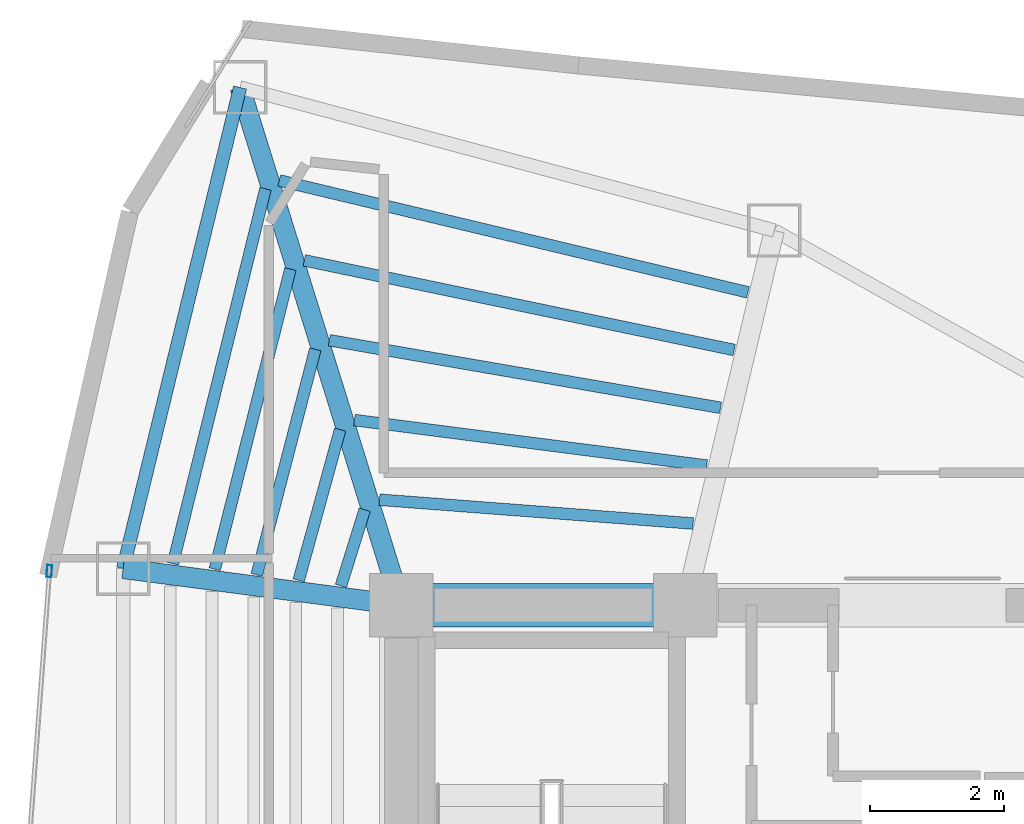
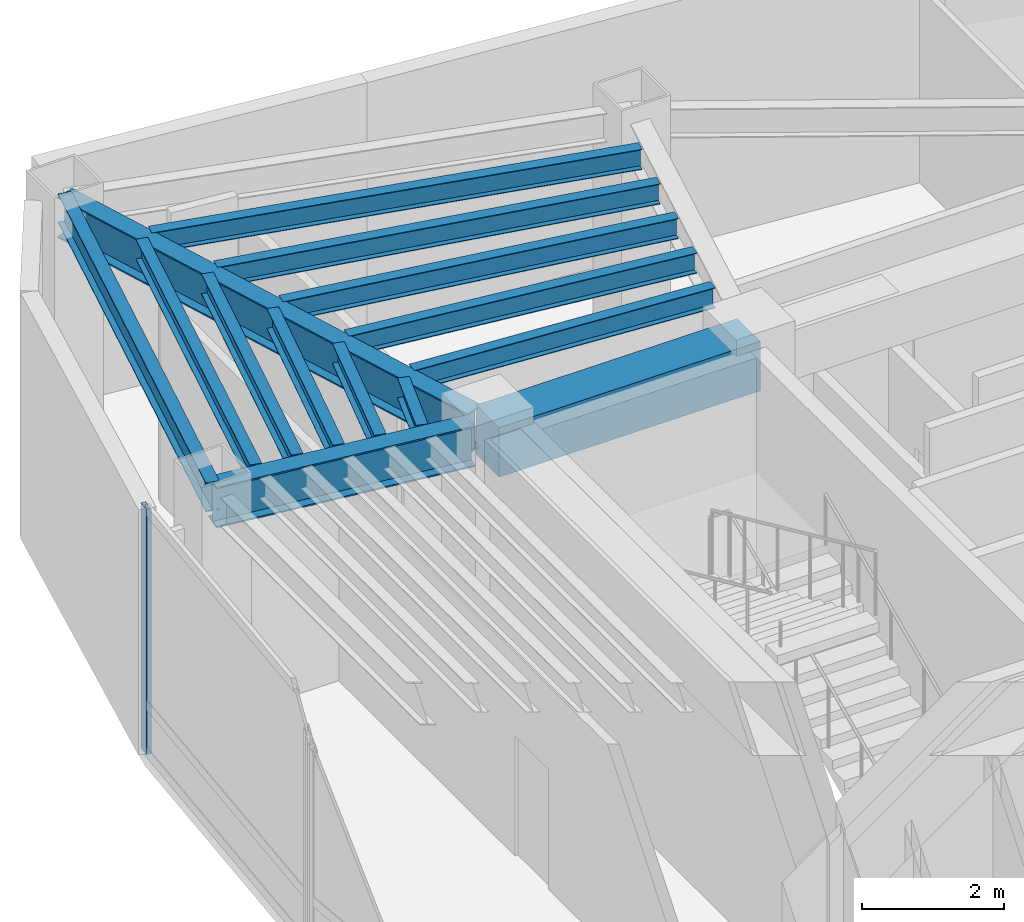
# One storey, part 8 of 17: 14 beams, 1 member, 1 element without a shape of its own.
"""IFC4 building model written with IfcOpenShell, lengths in metres."""

import ifcopenshell
import ifcopenshell.guid

model = None  # the IFC model being written
_history = None  # IfcOwnerHistory: only IFC2X3 demands one
_inside = {}  # id of a spatial element -> (the spatial element, [elements in it])
_under = {}  # id of a project, library or spatial element -> (it, [spatial elements below it])
_declared = {}  # id of a project -> (the project, [libraries it declares])
_typed = {}  # id of a type object -> (the type object, [elements of that type])
_made_of = {}  # id of a material, layer set ... -> (it, [elements and type objects made of it])


def new_model(schema):
    """Start an empty IFC model of exactly this schema.

    Asked for "IFC4X3", IfcOpenShell would pick the latest addendum, in which some entities
    have other attributes; the version numbers below select the first issue.
    IFC2X3 requires an IfcOwnerHistory on every rooted entity: one is made here for all.
    """
    global model, _history
    if schema == "IFC4X3":
        model = ifcopenshell.file(schema_version=(4, 3, 0, 0))
    else:
        model = ifcopenshell.file(schema=schema)
    _inside.clear()
    _under.clear()
    _declared.clear()
    _typed.clear()
    _made_of.clear()
    _history = None
    if model.schema == "IFC2X3":
        org = make("IfcOrganization", Name="unknown")
        user = make(
            "IfcPersonAndOrganization",
            ThePerson=make("IfcPerson", FamilyName="unknown"),
            TheOrganization=org,
        )
        app = make(
            "IfcApplication",
            ApplicationDeveloper=org,
            Version="unknown",
            ApplicationFullName="unknown",
            ApplicationIdentifier="unknown",
        )
        _history = make(
            "IfcOwnerHistory",
            OwningUser=user,
            OwningApplication=app,
            ChangeAction="ADDED",
            CreationDate=0,
        )
    return model


def make(cls, **values):
    """One entity of the class cls with the attributes given. An attribute that is None is left unset."""
    return model.create_entity(
        cls, **{name: value for name, value in values.items() if value is not None}
    )


def rooted(cls, **values):
    """An entity with a GlobalId (a new one), such as an element, a storey or a relation."""
    return make(cls, GlobalId=ifcopenshell.guid.new(), OwnerHistory=_history, **values)


def si_unit(unit_type, name, prefix=None):
    """IfcSIUnit, for example si_unit("LENGTHUNIT", "METRE", prefix="MILLI")."""
    return make("IfcSIUnit", UnitType=unit_type, Prefix=prefix, Name=name)


def assignment(units):
    """IfcUnitAssignment: the units of a project."""
    return None if units is None else make("IfcUnitAssignment", Units=units)


def point(xyz):
    """IfcCartesianPoint."""
    return None if xyz is None else make("IfcCartesianPoint", Coordinates=xyz)


def direction(xyz):
    """IfcDirection."""
    return None if xyz is None else make("IfcDirection", DirectionRatios=xyz)


def frame(location, z_axis=None, x_axis=None):
    """IfcAxis2Placement3D, a coordinate frame: its origin and axes. An axis left out is left unset."""
    return make(
        "IfcAxis2Placement3D",
        Location=point(location),
        Axis=direction(z_axis),
        RefDirection=direction(x_axis),
    )


def frame_2d(location, x_axis=None):
    """IfcAxis2Placement2D, a coordinate frame in the plane: its origin and x axis."""
    return make(
        "IfcAxis2Placement2D", Location=point(location), RefDirection=direction(x_axis)
    )


def origin():
    """The frame at (0, 0, 0) with its axes left unset."""
    return frame((0.0, 0.0, 0.0))


def origin_2d():
    """The frame at (0, 0) in the plane with its x axis left unset."""
    return frame_2d((0.0, 0.0))


def place(relative_to, where):
    """IfcLocalPlacement: puts the frame where relative to a parent placement (None: the world)."""
    return make(
        "IfcLocalPlacement", PlacementRelTo=relative_to, RelativePlacement=where
    )


def context(
    kind, dimensions, precision=None, world=None, true_north=None, identifier=None
):
    """IfcGeometricRepresentationContext, for example the 3D "Model" context."""
    return make(
        "IfcGeometricRepresentationContext",
        ContextIdentifier=identifier,
        ContextType=kind,
        CoordinateSpaceDimension=dimensions,
        Precision=precision,
        WorldCoordinateSystem=world,
        TrueNorth=true_north,
    )


def subcontext(parent, identifier, kind, view, scale=None):
    """IfcGeometricRepresentationSubContext, for example "Body" below "Model"."""
    return make(
        "IfcGeometricRepresentationSubContext",
        ContextIdentifier=identifier,
        ContextType=kind,
        ParentContext=parent,
        TargetScale=scale,
        TargetView=view,
    )


def project(units=None, contexts=None):
    """IfcProject with its units and contexts."""
    return rooted(
        "IfcProject",
        Name="project",
        RepresentationContexts=contexts,
        UnitsInContext=assignment(units),
    )


def spatial(cls, under=None, at=None, **own):
    """A site, building, storey or space (cls), placed at a placement, below another one or the project."""
    s = rooted(cls, ObjectPlacement=at, **own)
    if under is not None:
        _under.setdefault(under.id(), (under, []))[1].append(s)
    return s


def profile(cls, at=None, kind="AREA", **sizes):
    """A parametric profile (cls). Its sizes go by their IFC names, for example OverallWidth=200.0."""
    return make(cls, ProfileType=kind, Position=at, **sizes)


def rectangle(**sizes):
    """IfcRectangleProfileDef."""
    return profile("IfcRectangleProfileDef", **sizes)


def hollow_rectangle(**sizes):
    """IfcRectangleHollowProfileDef."""
    return profile("IfcRectangleHollowProfileDef", **sizes)


def i_section(**sizes):
    """IfcIShapeProfileDef."""
    return profile("IfcIShapeProfileDef", **sizes)


def extrude(swept, where, along, depth):
    """IfcExtrudedAreaSolid: the profile swept, set in the frame where, extruded along a direction by depth."""
    return make(
        "IfcExtrudedAreaSolid",
        SweptArea=swept,
        Position=where,
        ExtrudedDirection=direction(along),
        Depth=depth,
    )


def shape(context_of_items, identifier, shape_type, items):
    """IfcShapeRepresentation: the items that make up one representation, for example the "Body"."""
    return make(
        "IfcShapeRepresentation",
        ContextOfItems=context_of_items,
        RepresentationIdentifier=identifier,
        RepresentationType=shape_type,
        Items=items,
    )


def material(Name=None, Category=None):
    """IfcMaterial."""
    return make("IfcMaterial", Name=Name, Category=Category)


def layer(
    of_material, thickness, ventilated=None, Name=None, Category=None, Priority=None
):
    """IfcMaterialLayer: one layer of a wall or slab, of a material (None: an air gap)."""
    return make(
        "IfcMaterialLayer",
        Material=of_material,
        LayerThickness=thickness,
        IsVentilated=ventilated,
        Name=Name,
        Category=Category,
        Priority=Priority,
    )


def layer_set(layers, Name=None):
    """IfcMaterialLayerSet."""
    return make("IfcMaterialLayerSet", MaterialLayers=layers, LayerSetName=Name)


def material_profile(
    of_material, cross_section, Name=None, Category=None, Priority=None
):
    """IfcMaterialProfile: a cross section and its material."""
    return make(
        "IfcMaterialProfile",
        Name=Name,
        Material=of_material,
        Profile=cross_section,
        Priority=Priority,
        Category=Category,
    )


def profile_set(profiles, Name=None, composite=None):
    """IfcMaterialProfileSet."""
    return make(
        "IfcMaterialProfileSet",
        Name=Name,
        MaterialProfiles=profiles,
        CompositeProfile=composite,
    )


def made_of(thing, what):
    """Note that an element or type object is made of a material, layer set ...; save() writes the relation."""
    if what is not None:
        _made_of.setdefault(what.id(), (what, []))[1].append(thing)
    return thing


def type_object(cls, material=None, **own):
    """A type object (cls), such as IfcWallType, which elements share."""
    return made_of(rooted(cls, **own), material)


def element(
    cls,
    number,
    at=None,
    inside=None,
    cuts=None,
    type_object=None,
    material=None,
    context=None,
    identifier="Body",
    shape_type=None,
    held_by="IfcProductDefinitionShape",
    body=None,
    shapes=None,
    **own,
):
    """One element of the class cls, such as IfcWall. Its Tag is "e" and its number.

    at: its placement. inside: the storey or other place that contains it. cuts: it is an
    opening in that element (IfcRelVoidsElement). A single representation is given by context,
    identifier, shape_type and body (its items); several are given by shapes. held_by: the class
    of the entity that holds the representations. save() writes the other relations.
    """
    e = rooted(cls, Tag="e%d" % number, ObjectPlacement=at, **own)
    if body is not None:
        shapes = [shape(context, identifier, shape_type, body)]
    if shapes is not None:
        e.Representation = make(held_by, Representations=shapes)
    if inside is not None:
        _inside.setdefault(inside.id(), (inside, []))[1].append(e)
    if cuts is not None:
        rooted(
            "IfcRelVoidsElement", RelatingBuildingElement=cuts, RelatedOpeningElement=e
        )
    if type_object is not None:
        _typed.setdefault(type_object.id(), (type_object, []))[1].append(e)
    return made_of(e, material)


def aggregate(whole, parts):
    """IfcRelAggregates: a whole, such as a stair, and the parts it consists of."""
    return rooted("IfcRelAggregates", RelatingObject=whole, RelatedObjects=parts)


def save(model, path):
    """Write the relations noted so far, then the file.

    IfcRelAggregates (storeys below a building ...), IfcRelContainedInSpatialStructure (elements
    in a storey), IfcRelDefinesByType, IfcRelAssociatesMaterial and IfcRelDeclares: one each for
    every whole, place, type object, material and project.
    """
    for whole, parts in _under.values():
        aggregate(whole, parts)
    for where, things in _inside.values():
        rooted(
            "IfcRelContainedInSpatialStructure",
            RelatedElements=things,
            RelatingStructure=where,
        )
    for kind, things in _typed.values():
        rooted("IfcRelDefinesByType", RelatedObjects=things, RelatingType=kind)
    for what, things in _made_of.values():
        rooted("IfcRelAssociatesMaterial", RelatedObjects=things, RelatingMaterial=what)
    for by, libraries in _declared.values():
        rooted("IfcRelDeclares", RelatingContext=by, RelatedDefinitions=libraries)
    model.write(path)


model = new_model("IFC4")

# Units and contexts
model_context = context("Model", 3, precision=1e-05, world=origin(), true_north=direction((0.0, 1.0)))
body_context = subcontext(model_context, "Body", "Model", "MODEL_VIEW")
ifc_project = project(units=[si_unit("LENGTHUNIT", "METRE"), si_unit("AREAUNIT", "SQUARE_METRE"), si_unit("VOLUMEUNIT", "CUBIC_METRE"), si_unit("PLANEANGLEUNIT", "RADIAN"), si_unit("MASSUNIT", "GRAM", prefix="KILO")], contexts=[model_context])

# Site, building, storey
site_placement = place(None, origin())
site = spatial("IfcSite", under=ifc_project, at=site_placement, CompositionType="ELEMENT")
building_placement = place(site_placement, origin())
building = spatial("IfcBuilding", under=site, at=building_placement, Name="Menara Vayukalpa", CompositionType="ELEMENT")
storey_placement = place(building_placement, frame((0.0, 0.0, 238.139892578125)))
storey = spatial("IfcBuildingStorey", under=building, at=storey_placement, Name="L60", CompositionType="ELEMENT", Elevation=238.139892578125)

# Beams
ifc_material_1 = material(Name="Concrete C60/75", Category="concrete")
ifc_material_profile_1 = material_profile(ifc_material_1, rectangle(XDim=0.64990234375, YDim=0.85009765625, at=origin_2d()), Name="RC 650x850")
ifc_profile_set_1 = profile_set([ifc_material_profile_1], Name="Concrete C60/75")
beam_type_1 = type_object("IfcBeamType", Name="BM-CB1", PredefinedType="BEAM", material=ifc_profile_set_1)
beam_1_placement = place(storey_placement, frame((17.800048828125, 26.800048828125, 3.795166015625), z_axis=(1.0, 0.0, 0.0), x_axis=(0.0, 1.0, 0.0)))
element("IfcBeam", 1, at=beam_1_placement, inside=storey, type_object=beam_type_1, Name="L60 Core Tie Beam CBR4", PredefinedType="BEAM", context=body_context, shape_type="SweptSolid", body=[
    extrude(rectangle(XDim=0.64990234375, YDim=0.85009765625, at=origin_2d()), origin(), (0.0, 0.0, 1.0), 4.25),
])
ifc_material_2 = material(Name="Steel S355", Category="steel")
ifc_material_profile_2 = material_profile(ifc_material_2, i_section(OverallWidth=0.300048828125, OverallDepth=0.699951171875, WebThickness=0.012939453125, FlangeThickness=0.02392578125, at=origin_2d()), Name="WF 700x300x13x24")
ifc_profile_set_2 = profile_set([ifc_material_profile_2], Name="Steel S355")
beam_type_2 = type_object("IfcBeamType", Name="BM-PG5", PredefinedType="BEAM", material=ifc_profile_set_2)
beam_2_placement = place(storey_placement, frame((17.7255859375, 27.038818359375, 3.8701171875), z_axis=(-0.297213792842, 0.954810955815, 0.0), x_axis=(-0.954810955815, -0.297213792842, 0.0)))
element("IfcBeam", 2, at=beam_2_placement, inside=storey, type_object=beam_type_2, Name="L60 Primary Radial Girder RG04", PredefinedType="BEAM", context=body_context, shape_type="SweptSolid", body=[
    extrude(i_section(OverallWidth=0.300048828125, OverallDepth=0.699951171875, WebThickness=0.012939453125, FlangeThickness=0.02392578125, at=origin_2d()), origin(), (0.0, 0.0, 1.0), 7.861083984375),
])
beam_3_placement = place(storey_placement, frame((17.552001953125, 26.83251953125, 3.8701171875), z_axis=(-0.991477860763, 0.130275291662, 0.0), x_axis=(-0.130275291662, -0.991477860763, 0.0)))
element("IfcBeam", 3, at=beam_3_placement, inside=storey, type_object=beam_type_2, Name="L60 Primary Radial Girder RG05", PredefinedType="BEAM", context=body_context, shape_type="SweptSolid", body=[
    extrude(i_section(OverallWidth=0.300048828125, OverallDepth=0.699951171875, WebThickness=0.012939453125, FlangeThickness=0.02392578125, at=origin_2d()), origin(), (0.0, 0.0, 1.0), 3.94677734375),
])
ifc_material_3 = material(Name="Steel S355", Category="steel")
ifc_material_profile_3 = material_profile(ifc_material_3, i_section(OverallWidth=0.175048828125, OverallDepth=0.35009765625, WebThickness=0.007080078125, FlangeThickness=0.010986328125, at=origin_2d()), Name="WF 350x175x7x11")
ifc_profile_set_3 = profile_set([ifc_material_profile_3], Name="Steel S355")
beam_type_3 = type_object("IfcBeamType", Name="BM-SJ3", PredefinedType="JOIST", material=ifc_profile_set_3)
beam_4_placement = place(storey_placement, frame((22.16748046875, 28.02099609375, 4.045166015625), z_axis=(-0.997135697669, 0.075633328852, 0.0), x_axis=(-0.075633328852, -0.997135697669, 0.0)))
element("IfcBeam", 4, at=beam_4_placement, inside=storey, type_object=beam_type_3, Name="L60 Secondary Floor Joist SJ03-1", PredefinedType="JOIST", context=body_context, shape_type="SweptSolid", body=[
    extrude(i_section(OverallWidth=0.175048828125, OverallDepth=0.35009765625, WebThickness=0.007080078125, FlangeThickness=0.010986328125, at=origin_2d()), origin(), (0.0, 0.0, 1.0), 4.706298828125),
])
beam_5_placement = place(storey_placement, frame((22.372314453125, 28.887939453125, 4.045166015625), z_axis=(-0.991763759233, 0.128080622546, 0.0), x_axis=(-0.128080622546, -0.991763759233, 0.0)))
element("IfcBeam", 5, at=beam_5_placement, inside=storey, type_object=beam_type_3, Name="L60 Secondary Floor Joist SJ03-2", PredefinedType="JOIST", context=body_context, shape_type="SweptSolid", body=[
    extrude(i_section(OverallWidth=0.175048828125, OverallDepth=0.35009765625, WebThickness=0.007080078125, FlangeThickness=0.010986328125, at=origin_2d()), origin(), (0.0, 0.0, 1.0), 5.316162109375),
])
beam_6_placement = place(storey_placement, frame((22.577392578125, 29.7529296875, 4.045166015625), z_axis=(-0.985440172071, 0.170022549294, 0.0), x_axis=(-0.170022549294, -0.985440172071, 0.0)))
element("IfcBeam", 6, at=beam_6_placement, inside=storey, type_object=beam_type_3, Name="L60 Secondary Floor Joist SJ03-3", PredefinedType="JOIST", context=body_context, shape_type="SweptSolid", body=[
    extrude(i_section(OverallWidth=0.175048828125, OverallDepth=0.35009765625, WebThickness=0.007080078125, FlangeThickness=0.010986328125, at=origin_2d()), origin(), (0.0, 0.0, 1.0), 5.93896484375),
])
beam_7_placement = place(storey_placement, frame((22.7822265625, 30.61669921875, 4.045166015625), z_axis=(-0.978941451827, 0.204141210671, 0.0), x_axis=(-0.204141210671, -0.978941451827, 0.0)))
element("IfcBeam", 7, at=beam_7_placement, inside=storey, type_object=beam_type_3, Name="L60 Secondary Floor Joist SJ03-4", PredefinedType="JOIST", context=body_context, shape_type="SweptSolid", body=[
    extrude(i_section(OverallWidth=0.175048828125, OverallDepth=0.35009765625, WebThickness=0.007080078125, FlangeThickness=0.010986328125, at=origin_2d()), origin(), (0.0, 0.0, 1.0), 6.570556640625),
])
beam_8_placement = place(storey_placement, frame((22.9873046875, 31.479248046875, 4.045166015625), z_axis=(-0.972642465748, 0.232307197097, 0.0), x_axis=(-0.232307197097, -0.972642465748, 0.0)))
element("IfcBeam", 8, at=beam_8_placement, inside=storey, type_object=beam_type_3, Name="L60 Secondary Floor Joist SJ03-5", PredefinedType="JOIST", context=body_context, shape_type="SweptSolid", body=[
    extrude(i_section(OverallWidth=0.175048828125, OverallDepth=0.35009765625, WebThickness=0.007080078125, FlangeThickness=0.010986328125, at=origin_2d()), origin(), (0.0, 0.0, 1.0), 7.20947265625),
])
beam_9_placement = place(storey_placement, frame((17.25439453125, 28.2275390625, 4.045166015625), z_axis=(-0.298018933644, -0.954559958929, 0.0), x_axis=(0.954559958929, -0.298018933644, 0.0)))
element("IfcBeam", 9, at=beam_9_placement, inside=storey, type_object=beam_type_3, Name="L60 Secondary Floor Joist SJ04-1", PredefinedType="JOIST", context=body_context, shape_type="SweptSolid", body=[
    extrude(i_section(OverallWidth=0.175048828125, OverallDepth=0.35009765625, WebThickness=0.007080078125, FlangeThickness=0.010986328125, at=origin_2d()), origin(), (0.0, 0.0, 1.0), 1.1943359375),
])
beam_10_placement = place(storey_placement, frame((16.88623046875, 29.4267578125, 4.045166015625), z_axis=(-0.264918721837, -0.9642707456, 0.0), x_axis=(0.9642707456, -0.264918721837, 0.0)))
element("IfcBeam", 10, at=beam_10_placement, inside=storey, type_object=beam_type_3, Name="L60 Secondary Floor Joist SJ04-2", PredefinedType="JOIST", context=body_context, shape_type="SweptSolid", body=[
    extrude(i_section(OverallWidth=0.175048828125, OverallDepth=0.35009765625, WebThickness=0.007080078125, FlangeThickness=0.010986328125, at=origin_2d()), origin(), (0.0, 0.0, 1.0), 2.3388671875),
])
beam_11_placement = place(storey_placement, frame((16.5146484375, 30.627197265625, 4.045166015625), z_axis=(-0.251492114719, -0.96785934734, 0.0), x_axis=(0.96785934734, -0.251492114719, 0.0)))
element("IfcBeam", 11, at=beam_11_placement, inside=storey, type_object=beam_type_3, Name="L60 Secondary Floor Joist SJ04-3", PredefinedType="JOIST", context=body_context, shape_type="SweptSolid", body=[
    extrude(i_section(OverallWidth=0.175048828125, OverallDepth=0.35009765625, WebThickness=0.007080078125, FlangeThickness=0.010986328125, at=origin_2d()), origin(), (0.0, 0.0, 1.0), 3.485107421875),
])
beam_12_placement = place(storey_placement, frame((16.14208984375, 31.82763671875, 4.045166015625), z_axis=(-0.244247063973, -0.969713035769, 0.0), x_axis=(0.969713035769, -0.244247063973, 0.0)))
element("IfcBeam", 12, at=beam_12_placement, inside=storey, type_object=beam_type_3, Name="L60 Secondary Floor Joist SJ04-4", PredefinedType="JOIST", context=body_context, shape_type="SweptSolid", body=[
    extrude(i_section(OverallWidth=0.175048828125, OverallDepth=0.35009765625, WebThickness=0.007080078125, FlangeThickness=0.010986328125, at=origin_2d()), origin(), (0.0, 0.0, 1.0), 4.630859375),
])
beam_13_placement = place(storey_placement, frame((15.768798828125, 33.028564453125, 4.045166015625), z_axis=(-0.239671161383, -0.970854126222, 0.0), x_axis=(0.970854126222, -0.239671161383, 0.0)))
element("IfcBeam", 13, at=beam_13_placement, inside=storey, type_object=beam_type_3, Name="L60 Secondary Floor Joist SJ04-5", PredefinedType="JOIST", context=body_context, shape_type="SweptSolid", body=[
    extrude(i_section(OverallWidth=0.175048828125, OverallDepth=0.35009765625, WebThickness=0.007080078125, FlangeThickness=0.010986328125, at=origin_2d()), origin(), (0.0, 0.0, 1.0), 5.77783203125),
])
ifc_material_4 = material(Name="Steel S355", Category="steel")
ifc_material_profile_4 = material_profile(ifc_material_4, i_section(OverallWidth=0.199951171875, OverallDepth=0.5, WebThickness=0.010009765625, FlangeThickness=0.01611328125, at=origin_2d()), Name="WF 500x200x10x16")
ifc_profile_set_4 = profile_set([ifc_material_profile_4], Name="Steel S355")
beam_type_4 = type_object("IfcBeamType", Name="BM-SP3", PredefinedType="SPANDREL", material=ifc_profile_set_4)
beam_14_placement = place(storey_placement, frame((15.38916015625, 34.544677734375, 3.97021484375), z_axis=(-0.236272525754, -0.97168682896, 0.0), x_axis=(0.97168682896, -0.236272525754, 0.0)))
element("IfcBeam", 14, at=beam_14_placement, inside=storey, type_object=beam_type_4, Name="L60 Perimeter Spandrel Beam SP04", PredefinedType="SPANDREL", context=body_context, shape_type="SweptSolid", body=[
    extrude(i_section(OverallWidth=0.199951171875, OverallDepth=0.5, WebThickness=0.010009765625, FlangeThickness=0.01611328125, at=origin_2d()), origin(), (0.0, 0.0, 1.0), 7.40771484375),
])

# Curtain wall, member
ifc_material_5 = material(Name="Anodised Terracotta Aluminium Alloy 6063-T6", Category="masonry")
ifc_layer = layer(ifc_material_5, 0.179931640625)
ifc_layer_set = layer_set([ifc_layer], Name="Anodised Terracotta Aluminium Alloy 6063-T6")
curtain_wall_type = type_object("IfcCurtainWallType", Name="CW-CW4", PredefinedType="USERDEFINED", material=ifc_layer_set)
curtain_wall_placement = place(storey_placement, origin())
curtain_wall = element("IfcCurtainWall", 15, at=curtain_wall_placement, inside=storey, type_object=curtain_wall_type, Name="L60 Sky Bar Cantilever Glazed Curtain Wall CW4 10", ObjectType="UNITISED", PredefinedType="USERDEFINED")
ifc_material_6 = material(Name="Anodised Terracotta Aluminium Alloy 6063-T6", Category="masonry")
ifc_material_profile_5 = material_profile(ifc_material_6, hollow_rectangle(XDim=0.074951171875, YDim=0.179931640625, WallThickness=0.00390625, at=origin_2d()), Name="ALU 75x180x4")
ifc_profile_set_5 = profile_set([ifc_material_profile_5], Name="Anodised Terracotta Aluminium Alloy 6063-T6")
member_type = type_object("IfcMemberType", Name="CWM-CW4", PredefinedType="MULLION", material=ifc_profile_set_5)
member_placement = place(storey_placement, frame((12.5361328125, 27.309326171875, 0.0), z_axis=(0.0, 0.0, 1.0), x_axis=(0.997199344663, -0.074789484574, 0.0)))
member = element("IfcMember", 16, at=member_placement, type_object=member_type, Name="CW4 mullion 1", PredefinedType="MULLION", context=body_context, shape_type="SweptSolid", body=[
    extrude(hollow_rectangle(XDim=0.074951171875, YDim=0.179931640625, WallThickness=0.00390625, at=origin_2d()), origin(), (0.0, 0.0, 1.0), 4.22021484375),
])
aggregate(curtain_wall, [member])

save(model, "model.ifc")
